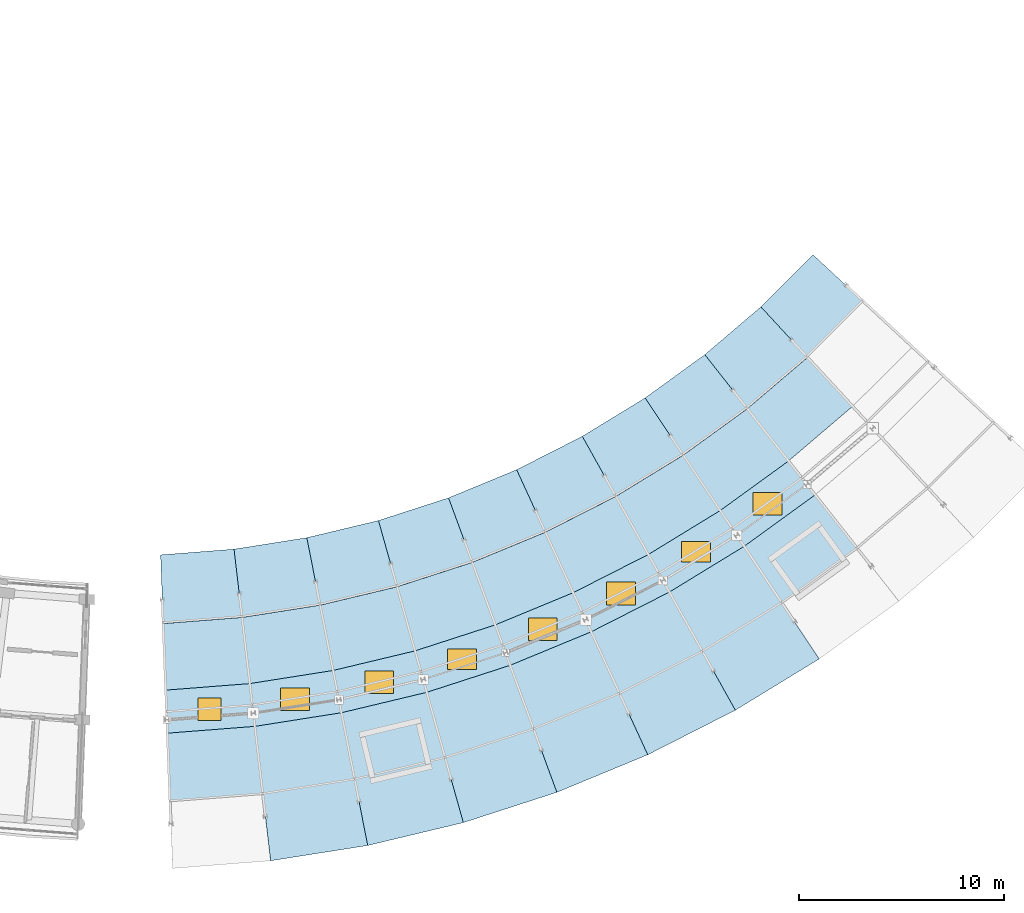
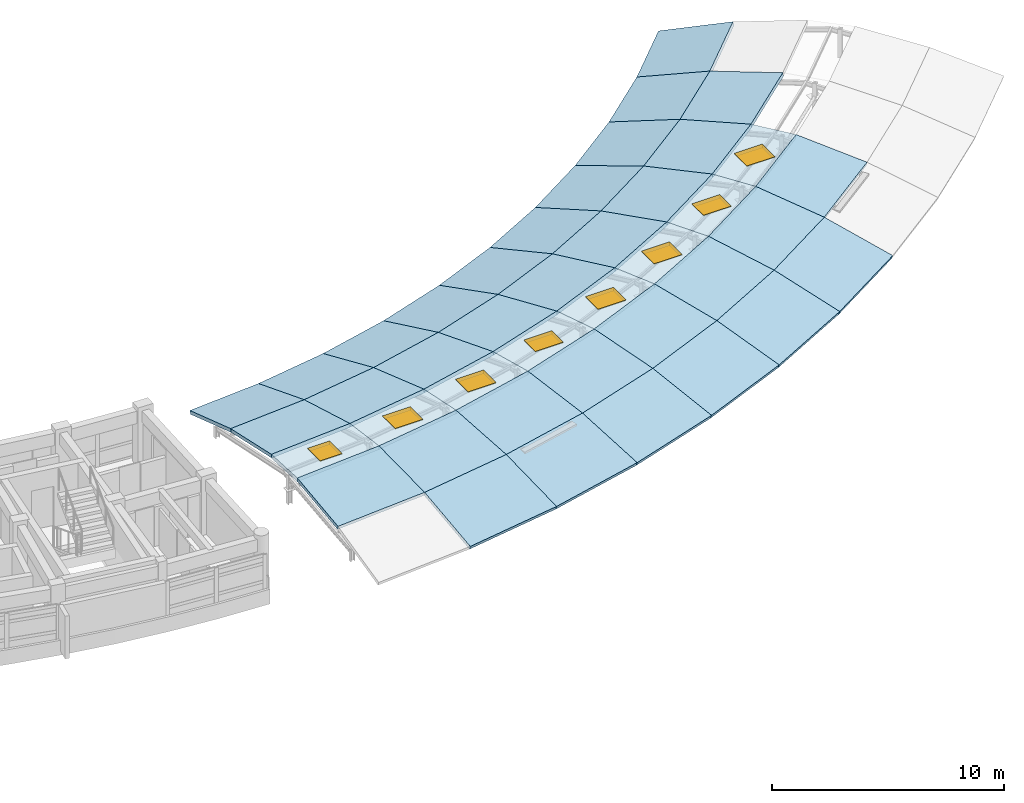
# One storey, part 28 of 50: 41 slabs, 8 windows, 8 openings.
"""IFC4 building model written with IfcOpenShell, lengths in metres."""

from ifc_helpers import new_model, si_unit, direction, frame, origin, origin_2d, place, context, subcontext, project, spatial, polyline, rectangle, outline, extrude, material, layer, layer_set, type_object, element, fill, save


model = new_model("IFC4")

# Units and contexts
model_context = context("Model", 3, precision=1e-05, world=origin(), true_north=direction((0.0, 1.0)))
body_context = subcontext(model_context, "Body", "Model", "MODEL_VIEW")
ifc_project = project(units=[si_unit("LENGTHUNIT", "METRE"), si_unit("AREAUNIT", "SQUARE_METRE"), si_unit("VOLUMEUNIT", "CUBIC_METRE"), si_unit("PLANEANGLEUNIT", "RADIAN"), si_unit("MASSUNIT", "GRAM", prefix="KILO")], contexts=[model_context])

# Site, building, storey
site_placement = place(None, origin())
site = spatial("IfcSite", under=ifc_project, at=site_placement, CompositionType="ELEMENT")
building_placement = place(site_placement, origin())
building = spatial("IfcBuilding", under=site, at=building_placement, Name="Zimvara Arc Housing Community", CompositionType="ELEMENT")
storey_placement = place(building_placement, frame((0.0, 0.0, 26.699951171875)))
storey = spatial("IfcBuildingStorey", under=building, at=storey_placement, Name="L08", CompositionType="ELEMENT", Elevation=26.699951171875)

# Slabs
ifc_material_1 = material(Name="Concrete C40/50", Category="concrete")
ifc_layer_1 = layer(ifc_material_1, 0.179931640625)
ifc_layer_set_1 = layer_set([ifc_layer_1], Name="Concrete C40/50")
slab_type_1 = type_object("IfcSlabType", Name="SLB-BRL-ROOF-180", PredefinedType="ROOF", material=ifc_layer_set_1)
slab_1_placement = place(storey_placement, frame((127.736328125, 64.143798828125, 0.1201171875), z_axis=(-0.022512545556, 0.289340944911, 0.956961338242), x_axis=(0.996988403561, 0.077550777718, 6.407312e-06)))
element("IfcSlab", 1, at=slab_1_placement, inside=storey, type_object=slab_type_1, Name="roof:blkD:in1:b0:t0", PredefinedType="ROOF", context=body_context, shape_type="SweptSolid", body=[
    extrude(outline(polyline([(0.0, 0.0), (3.592116291310163, 5.551115123125783e-17), (3.721812413546961, -3.4456339751327287), (-0.12939822481342012, -3.4457983072668537), (0.0, 0.0)])), origin(), (0.0, 0.0, -1.0), 0.179931640625),
])
slab_2_placement = place(storey_placement, frame((127.863037109375, 60.84619140625, 1.1201171875), z_axis=(-0.013884804639, 0.17843345977, 0.983854009818), x_axis=(0.996985127324, 0.077592885564, -2.259791e-06)))
element("IfcSlab", 2, at=slab_2_placement, inside=storey, type_object=slab_type_1, Name="roof:blkD:in2:b0:t0", PredefinedType="ROOF", context=body_context, shape_type="SweptSolid", body=[
    extrude(outline(polyline([(0.0, 0.0), (3.8512106419313676, 0.0), (3.9807407944678213, -3.3516952546601786), (-0.12978866251532722, -3.3515947262044823), (0.0, 0.0)])), origin(), (0.0, 0.0, -1.0), 0.179931640625),
])
slab_3_placement = place(storey_placement, frame((132.7177734375, 52.50439453125, 1.1201171875), z_axis=(0.013882583, -0.178440045937, 0.983852846667), x_axis=(-0.996986043083, -0.077581118128, -2.883348e-06)))
element("IfcSlab", 3, at=slab_3_placement, inside=storey, type_object=slab_type_1, Name="roof:blkD:out1:b0:t0", PredefinedType="ROOF", context=body_context, shape_type="SweptSolid", body=[
    extrude(outline(polyline([(0.0, 0.0), (4.534663558844691, -5.551115123125783e-17), (4.404913442482641, -3.3515962186464057), (0.12958764057867359, -3.3514542901151114), (0.0, 0.0)])), origin(), (0.0, 0.0, -1.0), 0.179931640625),
])
slab_4_placement = place(storey_placement, frame((131.317626953125, 64.42236328125, 0.1201171875), z_axis=(-0.04514782357, 0.286688203725, 0.956959533038), x_axis=(0.987825721447, 0.15556459767, -3.69587e-07)))
element("IfcSlab", 4, at=slab_4_placement, inside=storey, type_object=slab_type_1, Name="roof:blkD:in1:b1:t0", PredefinedType="ROOF", context=body_context, shape_type="SweptSolid", body=[
    extrude(outline(polyline([(0.0, 0.0), (3.5923179260971634, -1.1102230246251565e-16), (3.7218125560917676, -3.445650211547995), (-0.12951648199066468, -3.4456407323140237), (0.0, 0.0)])), origin(), (0.0, 0.0, -1.0), 0.179931640625),
])
slab_5_placement = place(storey_placement, frame((131.70263671875, 61.14501953125, 1.1201171875), z_axis=(-0.027846094042, 0.176795805982, 0.983853565341), x_axis=(0.987825982724, 0.155562938506, 4.289376e-06)))
element("IfcSlab", 5, at=slab_5_placement, inside=storey, type_object=slab_type_1, Name="roof:blkD:in2:b1:t0", PredefinedType="ROOF", context=body_context, shape_type="SweptSolid", body=[
    extrude(outline(polyline([(0.0, 0.0), (3.8513290380577456, -2.220446049250313e-16), (3.9810733173504556, -3.351503824471392), (-0.1295459803922635, -3.35169464290651), (0.0, 0.0)])), origin(), (0.0, 0.0, -1.0), 0.179931640625),
])
slab_6_placement = place(storey_placement, frame((137.837890625, 49.97265625, 0.1201171875), z_axis=(0.045149039845, -0.286678173258, 0.956962480549), x_axis=(-0.987828192913, -0.155548903024, 7.33474e-06)))
element("IfcSlab", 6, at=slab_6_placement, inside=storey, type_object=slab_type_1, Name="roof:blkD:out2:b1:t0", PredefinedType="ROOF", context=body_context, shape_type="SweptSolid", body=[
    extrude(outline(polyline([(0.0, 0.0), (4.793450720553597, 0.0), (4.663994331180963, -3.4456429903853163), (0.12951674692351064, -3.4458787422124177), (0.0, 0.0)])), origin(), (0.0, 0.0, -1.0), 0.179931640625),
])
slab_7_placement = place(storey_placement, frame((137.197021484375, 53.2099609375, 1.1201171875), z_axis=(0.027850152772, -0.176802590508, 0.983852231273), x_axis=(-0.98782007586, -0.155600442567, 3.84909e-07)))
element("IfcSlab", 7, at=slab_7_placement, inside=storey, type_object=slab_type_1, Name="roof:blkD:out1:b1:t0", PredefinedType="ROOF", context=body_context, shape_type="SweptSolid", body=[
    extrude(outline(polyline([(0.0, 0.0), (4.5344775905344274, 1.1102230246251565e-16), (4.4048420593645865, -3.351452438056301), (0.12937558028651522, -3.351471384178919), (0.0, 0.0)])), origin(), (0.0, 0.0, -1.0), 0.179931640625),
])
slab_8_placement = place(storey_placement, frame((134.8662109375, 64.981201171875, 0.1201171875), z_axis=(-0.067504990488, 0.28225119613, 0.95696255859), x_axis=(0.972563533426, 0.232637428965, -9.718788e-06)))
element("IfcSlab", 8, at=slab_8_placement, inside=storey, type_object=slab_type_1, Name="roof:blkD:in1:b2:t0", PredefinedType="ROOF", context=body_context, shape_type="SweptSolid", body=[
    extrude(outline(polyline([(0.0, 0.0), (3.5922124225277106, 1.1102230246251565e-16), (3.7216769571933486, -3.445888557261425), (-0.1297852059482451, -3.4456392786428087), (0.0, 0.0)])), origin(), (0.0, 0.0, -1.0), 0.179931640625),
])
slab_9_placement = place(storey_placement, frame((135.507080078125, 61.744140625, 1.1201171875), z_axis=(-0.041627514255, 0.174072708916, 0.983852550979), x_axis=(0.972578531973, 0.232574717335, 1.133942e-06)))
element("IfcSlab", 9, at=slab_9_placement, inside=storey, type_object=slab_type_1, Name="roof:blkD:in2:b2:t0", PredefinedType="ROOF", context=body_context, shape_type="SweptSolid", body=[
    extrude(outline(polyline([(0.0, 0.0), (3.8514621713788633, 0.0), (3.9812065156382084, -3.351469595650952), (-0.1293247475810229, -3.3515200392330775), (0.0, 0.0)])), origin(), (0.0, 0.0, -1.0), 0.179931640625),
])
slab_10_placement = place(storey_placement, frame((142.500244140625, 51.087646484375, 0.1201171875), z_axis=(0.067498015938, -0.282243025797, 0.956965460314), x_axis=(-0.972575115458, -0.232589004021, 2.78361e-07)))
element("IfcSlab", 10, at=slab_10_placement, inside=storey, type_object=slab_type_1, Name="roof:blkD:out2:b2:t0", PredefinedType="ROOF", context=body_context, shape_type="SweptSolid", body=[
    extrude(outline(polyline([(0.0, 0.0), (4.793823476872137, 4.440892098500626e-16), (4.664155660690051, -3.445873061004935), (0.12963872147940314, -3.4458820087204955), (0.0, 0.0)])), origin(), (0.0, 0.0, -1.0), 0.179931640625),
])
slab_11_placement = place(storey_placement, frame((141.607177734375, 54.2646484375, 1.1201171875), z_axis=(0.041629872768, -0.174073678635, 0.983852279613), x_axis=(-0.972574647135, -0.232590962313, 1.97581e-07)))
element("IfcSlab", 11, at=slab_11_placement, inside=storey, type_object=slab_type_1, Name="roof:blkD:out1:b2:t0", PredefinedType="ROOF", context=body_context, shape_type="SweptSolid", body=[
    extrude(outline(polyline([(0.0, 0.0), (4.5345169392196, -2.220446049250313e-16), (4.404899108378928, -3.3514620239046575), (0.12968870680142672, -3.351471749065937), (0.0, 0.0)])), origin(), (0.0, 0.0, -1.0), 0.179931640625),
])
slab_12_placement = place(storey_placement, frame((138.35986328125, 65.81689453125, 0.1201171875), z_axis=(-0.089432950556, 0.276084734337, 0.956963409343), x_axis=(0.951339563855, 0.308144502122, 7.430974e-06)))
element("IfcSlab", 12, at=slab_12_placement, inside=storey, type_object=slab_type_1, Name="roof:blkD:in1:b3:t0", PredefinedType="ROOF", context=body_context, shape_type="SweptSolid", body=[
    extrude(outline(polyline([(0.0, 0.0), (3.5922798797535114, 0.0), (3.722179907078615, -3.445701922747733), (-0.12935884869786196, -3.445892526417185), (0.0, 0.0)])), origin(), (0.0, 0.0, -1.0), 0.179931640625),
])
slab_13_placement = place(storey_placement, frame((139.2529296875, 62.639892578125, 1.1201171875), z_axis=(-0.055161475988, 0.170270101733, 0.983852277541), x_axis=(0.951324286325, 0.308191664792, 6.35928e-07)))
element("IfcSlab", 13, at=slab_13_placement, inside=storey, type_object=slab_type_1, Name="roof:blkD:in2:b3:t0", PredefinedType="ROOF", context=body_context, shape_type="SweptSolid", body=[
    extrude(outline(polyline([(0.0, 0.0), (3.8515387605929505, -2.220446049250313e-16), (3.9810360112937277, -3.3514525285625085), (-0.12945413584443907, -3.3514808178126754), (0.0, 0.0)])), origin(), (0.0, 0.0, -1.0), 0.179931640625),
])
slab_14_placement = place(storey_placement, frame((147.060546875, 52.56494140625, 0.1201171875), z_axis=(0.089434768517, -0.276074307097, 0.95696624765), x_axis=(-0.951328071988, -0.308179978984, 1.287133e-06)))
element("IfcSlab", 14, at=slab_14_placement, inside=storey, type_object=slab_type_1, Name="roof:blkD:out2:b3:t0", PredefinedType="ROOF", context=body_context, shape_type="SweptSolid", body=[
    extrude(outline(polyline([(0.0, 0.0), (4.7936167259496445, 2.220446049250313e-16), (4.664128760352301, -3.445887677051625), (0.129695678405417, -3.4459290501559345), (0.0, 0.0)])), origin(), (0.0, 0.0, -1.0), 0.179931640625),
])
slab_15_placement = place(storey_placement, frame((145.9208984375, 55.662109375, 1.1201171875), z_axis=(0.055159775364, -0.17027065268, 0.983852277539), x_axis=(-0.951325286992, -0.308188575923, -5.90376e-07)))
element("IfcSlab", 15, at=slab_15_placement, inside=storey, type_object=slab_type_1, Name="roof:blkD:out1:b3:t0", PredefinedType="ROOF", context=body_context, shape_type="SweptSolid", body=[
    extrude(outline(polyline([(0.0, 0.0), (4.5344330821394, 0.0), (4.404988916943715, -3.3514812029234373), (0.12950722125491132, -3.351452143293816), (0.0, 0.0)])), origin(), (0.0, 0.0, -1.0), 0.179931640625),
])
slab_16_placement = place(storey_placement, frame((141.77734375, 66.923828125, 0.1201171875), z_axis=(-0.110827396952, 0.268220767096, 0.956961288759), x_axis=(0.924212867682, 0.381877696665, 6.03596e-07)))
element("IfcSlab", 16, at=slab_16_placement, inside=storey, type_object=slab_type_1, Name="roof:blkD:in1:b4:t0", PredefinedType="ROOF", context=body_context, shape_type="SweptSolid", body=[
    extrude(outline(polyline([(0.0, 0.0), (3.5923197180594997, 0.0), (3.7218359861139585, -3.4457064656308782), (-0.12936778406417954, -3.4457219468125664), (0.0, 0.0)])), origin(), (0.0, 0.0, -1.0), 0.179931640625),
])
slab_17_placement = place(storey_placement, frame((142.9169921875, 63.826904296875, 1.1201171875), z_axis=(-0.068348015127, 0.165417235036, 0.983852472265), x_axis=(0.924211453525, 0.381881119159, -1.728347e-06)))
element("IfcSlab", 17, at=slab_17_placement, inside=storey, type_object=slab_type_1, Name="roof:blkD:in2:b4:t0", PredefinedType="ROOF", context=body_context, shape_type="SweptSolid", body=[
    extrude(outline(polyline([(0.0, 0.0), (3.8512037702039787, 0.0), (3.9807061871190363, -3.351525156575941), (-0.1296072728230931, -3.3514482755875674), (0.0, 0.0)])), origin(), (0.0, 0.0, -1.0), 0.179931640625),
])
slab_18_placement = place(storey_placement, frame((151.49072265625, 54.3955078125, 0.1201171875), z_axis=(0.110819182397, -0.268214322742, 0.956964046288), x_axis=(-0.924209891887, -0.381884898481, -7.121301e-06)))
element("IfcSlab", 18, at=slab_18_placement, inside=storey, type_object=slab_type_1, Name="roof:blkD:out2:b4:t0", PredefinedType="ROOF", context=body_context, shape_type="SweptSolid", body=[
    extrude(outline(polyline([(0.0, 0.0), (4.793477946042171, -2.220446049250313e-16), (4.663983508627371, -3.445936618272803), (0.1294828484329464, -3.4457077214522425), (0.0, 0.0)])), origin(), (0.0, 0.0, -1.0), 0.179931640625),
])
slab_19_placement = place(storey_placement, frame((150.11181640625, 57.3935546875, 1.1201171875), z_axis=(0.068345107379, -0.165412022946, 0.983853550566), x_axis=(-0.924228805153, -0.381839122787, 5.829313e-06)))
element("IfcSlab", 19, at=slab_19_placement, inside=storey, type_object=slab_type_1, Name="roof:blkD:out1:b4:t0", PredefinedType="ROOF", context=body_context, shape_type="SweptSolid", body=[
    extrude(outline(polyline([(0.0, 0.0), (4.534500666032371, 0.0), (4.405047756783163, -3.3514542414776276), (0.1295635613224294, -3.351741186865411), (0.0, 0.0)])), origin(), (0.0, 0.0, -1.0), 0.179931640625),
])
slab_20_placement = place(storey_placement, frame((145.097412109375, 68.295654296875, 0.1201171875), z_axis=(-0.131537336584, 0.258696123719, 0.956960942075), x_axis=(0.891389325287, 0.453238425958, -4.8287e-08)))
element("IfcSlab", 20, at=slab_20_placement, inside=storey, type_object=slab_type_1, Name="roof:blkD:in1:b5:t0", PredefinedType="ROOF", context=body_context, shape_type="SweptSolid", body=[
    extrude(outline(polyline([(0.0, 0.0), (3.5923118782164334, 0.0), (3.7217212593881523, -3.445701252995546), (-0.12968778303898224, -3.4457000144987564), (0.0, 0.0)])), origin(), (0.0, 0.0, -1.0), 0.179931640625),
])
slab_21_placement = place(storey_placement, frame((146.476318359375, 65.297607421875, 1.1201171875), z_axis=(-0.081116829153, 0.159539093452, 0.983853311062), x_axis=(0.891389674921, 0.453237738322, -2.473865e-06)))
element("IfcSlab", 21, at=slab_21_placement, inside=storey, type_object=slab_type_1, Name="roof:blkD:in2:b5:t0", PredefinedType="ROOF", context=body_context, shape_type="SweptSolid", body=[
    extrude(outline(polyline([(0.0, 0.0), (3.8514090424151624, -2.220446049250313e-16), (3.981037156027622, -3.3516280865820214), (-0.12968667503072137, -3.3515180317909214), (0.0, 0.0)])), origin(), (0.0, 0.0, -1.0), 0.179931640625),
])
slab_22_placement = place(storey_placement, frame((155.763916015625, 56.568115234375, 0.1201171875), z_axis=(0.131530897519, -0.258694395022, 0.956962294441), x_axis=(-0.891401790233, -0.453213910156, 3.113201e-06)))
element("IfcSlab", 22, at=slab_22_placement, inside=storey, type_object=slab_type_1, Name="roof:blkD:out2:b5:t0", PredefinedType="ROOF", context=body_context, shape_type="SweptSolid", body=[
    extrude(outline(polyline([(0.0, 0.0), (4.793788115462522, -2.220446049250313e-16), (4.664194181428098, -3.4457035454322824), (0.1297208575027153, -3.445803612711532), (0.0, 0.0)])), origin(), (0.0, 0.0, -1.0), 0.179931640625),
])
slab_23_placement = place(storey_placement, frame((154.15380859375, 59.44873046875, 1.1201171875), z_axis=(0.0811130459, -0.1595378644, 0.983853822276), x_axis=(-0.891392125324, -0.453232919029, -4.351868e-06)))
element("IfcSlab", 23, at=slab_23_placement, inside=storey, type_object=slab_type_1, Name="roof:blkD:out1:b5:t0", PredefinedType="ROOF", context=body_context, shape_type="SweptSolid", body=[
    extrude(outline(polyline([(0.0, 0.0), (4.53447332501199, -2.220446049250313e-16), (4.40469269822813, -3.351732789078453), (0.12942718999553848, -3.3515185744861378), (0.0, 0.0)])), origin(), (0.0, 0.0, -1.0), 0.179931640625),
])
slab_24_placement = place(storey_placement, frame((148.299560546875, 69.923828125, 0.1201171875), z_axis=(-0.151423420195, 0.247581289872, 0.956961050786), x_axis=(0.853090405929, 0.521763125671, -9.62066e-07)))
element("IfcSlab", 24, at=slab_24_placement, inside=storey, type_object=slab_type_1, Name="roof:blkD:in1:b6:t0", PredefinedType="ROOF", context=body_context, shape_type="SweptSolid", body=[
    extrude(outline(polyline([(0.0, 0.0), (3.592179270264748, -2.220446049250313e-16), (3.721805187178165, -3.445717227549484), (-0.1296408505167436, -3.4456925519689947), (0.0, 0.0)])), origin(), (0.0, 0.0, -1.0), 0.179931640625),
])
slab_25_placement = place(storey_placement, frame((149.909423828125, 67.043212890625, 1.1201171875), z_axis=(-0.093377251238, 0.152679900482, 0.983854428734), x_axis=(0.853093967149, 0.521757302976, -2.320865e-06)))
element("IfcSlab", 25, at=slab_25_placement, inside=storey, type_object=slab_type_1, Name="roof:blkD:in2:b6:t0", PredefinedType="ROOF", context=body_context, shape_type="SweptSolid", body=[
    extrude(outline(polyline([(0.0, 0.0), (3.8514460377649318, -2.220446049250313e-16), (3.9809666486016515, -3.351739743795637), (-0.1294104997139321, -3.3516364959791227), (0.0, 0.0)])), origin(), (0.0, 0.0, -1.0), 0.179931640625),
])
slab_26_placement = place(storey_placement, frame((159.853271484375, 59.069091796875, 0.1201171875), z_axis=(0.151413831511, -0.247571298625, 0.956965152827), x_axis=(-0.853102535452, -0.521743293198, 2.987484e-06)))
element("IfcSlab", 26, at=slab_26_placement, inside=storey, type_object=slab_type_1, Name="roof:blkD:out2:b6:t0", PredefinedType="ROOF", context=body_context, shape_type="SweptSolid", body=[
    extrude(outline(polyline([(0.0, 0.0), (4.793507266683332, 4.440892098500626e-16), (4.664155299300605, -3.445817480192555), (0.12957914485414043, -3.4459135078583385), (0.0, 0.0)])), origin(), (0.0, 0.0, -1.0), 0.179931640625),
])
slab_27_placement = place(storey_placement, frame((158.022216796875, 61.814697265625, 1.1201171875), z_axis=(0.09338496917, -0.152685515771, 0.983852824769), x_axis=(-0.85309141446, -0.521761476706, 5.03387e-07)))
element("IfcSlab", 27, at=slab_27_placement, inside=storey, type_object=slab_type_1, Name="roof:blkD:out1:b6:t0", PredefinedType="ROOF", context=body_context, shape_type="SweptSolid", body=[
    extrude(outline(polyline([(0.0, 0.0), (4.534576155487342, 0.0), (4.40494294262585, -3.3515106121204292), (0.12963355461796675, -3.3515353902800116), (0.0, 0.0)])), origin(), (0.0, 0.0, -1.0), 0.179931640625),
])
slab_28_placement = place(storey_placement, frame((151.364013671875, 71.798095703125, 0.1201171875), z_axis=(-0.170370740914, 0.234943907368, 0.956961426094), x_axis=(0.809552181418, 0.587047924416, 7.01995e-07)))
element("IfcSlab", 28, at=slab_28_placement, inside=storey, type_object=slab_type_1, Name="roof:blkD:in1:b7:t0", PredefinedType="ROOF", context=body_context, shape_type="SweptSolid", body=[
    extrude(outline(polyline([(0.0, 0.0), (3.592359754920568, 0.0), (3.7221025544060953, -3.4457105797421606), (-0.1293236508926683, -3.445728585349233), (0.0, 0.0)])), origin(), (0.0, 0.0, -1.0), 0.179931640625),
])
slab_29_placement = place(storey_placement, frame((153.195068359375, 69.052734375, 1.1201171875), z_axis=(-0.105070546054, 0.144884962204, 0.983853916026), x_axis=(0.809548930242, 0.587052407814, 4.75908e-06)))
element("IfcSlab", 29, at=slab_29_placement, inside=storey, type_object=slab_type_1, Name="roof:blkD:in2:b7:t0", PredefinedType="ROOF", context=body_context, shape_type="SweptSolid", body=[
    extrude(outline(polyline([(0.0, 0.0), (3.8514262052966943, 0.0), (3.981152896007656, -3.3515294745757678), (-0.12948308310603887, -3.351741193722388), (0.0, 0.0)])), origin(), (0.0, 0.0, -1.0), 0.179931640625),
])
slab_30_placement = place(storey_placement, frame((161.693115234375, 64.476806640625, 1.1201171875), z_axis=(0.105072742959, -0.144889782396, 0.983852971558), x_axis=(-0.809536263956, -0.587069874325, -2.34348e-07)))
element("IfcSlab", 30, at=slab_30_placement, inside=storey, type_object=slab_type_1, Name="roof:blkD:out1:b7:t0", PredefinedType="ROOF", context=body_context, shape_type="SweptSolid", body=[
    extrude(outline(polyline([(0.0, 0.0), (4.534569622676629, -8.881784197001252e-16), (4.405155723040514, -3.351543879075354), (0.1296525511555724, -3.3515323435046396), (0.0, 0.0)])), origin(), (0.0, 0.0, -1.0), 0.179931640625),
])
slab_31_placement = place(storey_placement, frame((154.272216796875, 73.906982421875, 0.1201171875), z_axis=(-0.188294277801, 0.220849074327, 0.956959221345), x_axis=(0.76097963347, 0.648775768195, 6.878719e-06)))
element("IfcSlab", 31, at=slab_31_placement, inside=storey, type_object=slab_type_1, Name="roof:blkD:in1:b8:t0", PredefinedType="ROOF", context=body_context, shape_type="SweptSolid", body=[
    extrude(outline(polyline([(0.0, 0.0), (3.592261337683018, -4.440892098500626e-16), (3.7218701731656685, -3.4455450568633488), (-0.12945294881822839, -3.445721481308067), (0.0, 0.0)])), origin(), (0.0, 0.0, -1.0), 0.179931640625),
])
slab_32_placement = place(storey_placement, frame((156.31298828125, 71.313720703125, 1.1201171875), z_axis=(-0.116117460617, 0.136192972052, 0.983853754226), x_axis=(0.760950379358, 0.648810080178, -3.80891e-06)))
element("IfcSlab", 32, at=slab_32_placement, inside=storey, type_object=slab_type_1, Name="roof:blkD:in2:b8:t0", PredefinedType="ROOF", context=body_context, shape_type="SweptSolid", body=[
    extrude(outline(polyline([(0.0, 0.0), (3.851323126082491, 0.0), (3.9808015031791517, -3.351703399326613), (-0.12961079323625835, -3.35153395859782), (0.0, 0.0)])), origin(), (0.0, 0.0, -1.0), 0.179931640625),
])
slab_33_placement = place(storey_placement, frame((157.005859375, 76.237548828125, 0.1201171875), z_axis=(-0.205038835578, 0.205391021498, 0.95696060744), x_axis=(0.70768666678, 0.706526419556, -1.1424627e-05)))
element("IfcSlab", 33, at=slab_33_placement, inside=storey, type_object=slab_type_1, Name="roof:blkD:in1:b9:t0", PredefinedType="ROOF", context=body_context, shape_type="SweptSolid", body=[
    extrude(outline(polyline([(0.0, 0.0), (3.5923315231663198, 0.0), (3.721738488169066, -3.445834044533288), (-0.12971624341189308, -3.4455410147222447), (0.0, 0.0)])), origin(), (0.0, 0.0, -1.0), 0.179931640625),
])

# Slab, opening, window
ifc_material_2 = material(Name="Concrete C40/50", Category="concrete")
ifc_layer_2 = layer(ifc_material_2, 0.205078125)
ifc_layer_set_2 = layer_set([ifc_layer_2], Name="Concrete C40/50")
slab_type_2 = type_object("IfcSlabType", Name="SLB-CURB-ROOF-205", PredefinedType="ROOF", material=ifc_layer_set_2)
slab_34_placement = place(storey_placement, frame((0.0, 0.0, 1.51513671875)))
slab_34 = element("IfcSlab", 34, at=slab_34_placement, inside=storey, type_object=slab_type_2, Name="roof:blkD:curb:b0", PredefinedType="ROOF", context=body_context, shape_type="SweptSolid", body=[
    extrude(outline(polyline([(128.0703125, 55.4501953125), (132.332763671875, 55.78173828125), (132.087646484375, 57.867431640625), (127.989501953125, 57.548583984375), (128.0703125, 55.4501953125)])), origin(), (0.0, 0.0, 1.0), 0.204833984375),
])
opening_1_placement = place(slab_34_placement, frame((130.123291015625, 56.62109375, 0.0)))
opening_1 = element("IfcOpeningElement", 35, at=opening_1_placement, cuts=slab_34, Name="Opening SK4", PredefinedType="OPENING", context=body_context, shape_type="SweptSolid", body=[
    extrude(rectangle(XDim=1.10009765625, YDim=1.10009765625, at=origin_2d()), origin(), (0.0, 0.0, 1.0), 0.204833984375),
])
ifc_material_3 = material(Name="Solar Control Low-E Double Glazing", Category="glass")
window_type_1 = type_object("IfcWindowType", Name="SKY-HTCH-1100x1100", PartitioningType="SINGLE_PANEL", PredefinedType="SKYLIGHT", material=ifc_material_3)
window_1_placement = place(opening_1_placement, frame((0.0, 0.0, 0.15478515625)))
window_1 = element("IfcWindow", 36, at=window_1_placement, inside=storey, type_object=window_type_1, Name="ROOF ACCESS HATCH", OverallHeight=1.10009765625, OverallWidth=1.10009765625, PartitioningType="SINGLE_PANEL", PredefinedType="SKYLIGHT", context=body_context, shape_type="SweptSolid", body=[
    extrude(rectangle(XDim=1.10009765625, YDim=1.10009765625, at=origin_2d()), origin(), (0.0, 0.0, 1.0), 0.050048828125),
])
fill(opening_1, window_1)

slab_35_placement = place(storey_placement, frame((0.0, 0.0, 1.51513671875)))
slab_35 = element("IfcSlab", 37, at=slab_35_placement, inside=storey, type_object=slab_type_2, Name="roof:blkD:curb:b1", PredefinedType="ROOF", context=body_context, shape_type="SweptSolid", body=[
    extrude(outline(polyline([(132.332763671875, 55.78173828125), (136.55615234375, 56.447021484375), (136.148193359375, 58.507080078125), (132.087646484375, 57.867431640625), (132.332763671875, 55.78173828125)])), origin(), (0.0, 0.0, 1.0), 0.204833984375),
])
opening_2_placement = place(slab_35_placement, frame((134.28759765625, 57.110107421875, 0.0)))
opening_2 = element("IfcOpeningElement", 38, at=opening_2_placement, cuts=slab_35, Name="Opening SK1", PredefinedType="OPENING", context=body_context, shape_type="SweptSolid", body=[
    extrude(rectangle(XDim=1.39990234375, YDim=1.10009765625, at=origin_2d()), origin(), (0.0, 0.0, 1.0), 0.204833984375),
])
ifc_material_4 = material(Name="Solar Control Low-E Double Glazing", Category="glass")
window_type_2 = type_object("IfcWindowType", Name="SKY-BRL-2200x1200", PartitioningType="SINGLE_PANEL", PredefinedType="SKYLIGHT", material=ifc_material_4)
window_2_placement = place(opening_2_placement, frame((0.0, 0.0, 0.15478515625)))
window_2 = element("IfcWindow", 39, at=window_2_placement, inside=storey, type_object=window_type_2, Name="sky:blkD:b1", OverallHeight=1.10009765625, OverallWidth=1.39990234375, PartitioningType="SINGLE_PANEL", PredefinedType="SKYLIGHT", context=body_context, shape_type="SweptSolid", body=[
    extrude(rectangle(XDim=1.39990234375, YDim=1.10009765625, at=origin_2d()), origin(), (0.0, 0.0, 1.0), 0.050048828125),
])
fill(opening_2, window_2)

slab_36_placement = place(storey_placement, frame((0.0, 0.0, 1.51513671875)))
slab_36 = element("IfcSlab", 40, at=slab_36_placement, inside=storey, type_object=slab_type_2, Name="roof:blkD:curb:b2", PredefinedType="ROOF", context=body_context, shape_type="SweptSolid", body=[
    extrude(outline(polyline([(136.55615234375, 56.447021484375), (140.714111328125, 57.44140625), (140.14599609375, 59.463134765625), (136.148193359375, 58.507080078125), (136.55615234375, 56.447021484375)])), origin(), (0.0, 0.0, 1.0), 0.204833984375),
])
opening_3_placement = place(slab_36_placement, frame((138.400634765625, 57.924560546875, 0.0)))
opening_3 = element("IfcOpeningElement", 41, at=opening_3_placement, cuts=slab_36, Name="Opening SK2", PredefinedType="OPENING", context=body_context, shape_type="SweptSolid", body=[
    extrude(rectangle(XDim=1.39990234375, YDim=1.10009765625, at=origin_2d()), origin(), (0.0, 0.0, 1.0), 0.204833984375),
])
ifc_material_5 = material(Name="Solar Control Low-E Double Glazing", Category="glass")
window_type_3 = type_object("IfcWindowType", Name="SKY-BRL-2000x1100", PartitioningType="SINGLE_PANEL", PredefinedType="SKYLIGHT", material=ifc_material_5)
window_3_placement = place(opening_3_placement, frame((0.0, 0.0, 0.15478515625)))
window_3 = element("IfcWindow", 42, at=window_3_placement, inside=storey, type_object=window_type_3, Name="sky:blkD:b2", OverallHeight=1.10009765625, OverallWidth=1.39990234375, PartitioningType="SINGLE_PANEL", PredefinedType="SKYLIGHT", context=body_context, shape_type="SweptSolid", body=[
    extrude(rectangle(XDim=1.39990234375, YDim=1.10009765625, at=origin_2d()), origin(), (0.0, 0.0, 1.0), 0.050048828125),
])
fill(opening_3, window_3)

slab_37_placement = place(storey_placement, frame((0.0, 0.0, 1.51513671875)))
slab_37 = element("IfcSlab", 43, at=slab_37_placement, inside=storey, type_object=slab_type_2, Name="roof:blkD:curb:b3", PredefinedType="ROOF", context=body_context, shape_type="SweptSolid", body=[
    extrude(outline(polyline([(140.714111328125, 57.44140625), (144.781494140625, 58.759033203125), (144.056396484375, 60.72998046875), (140.14599609375, 59.463134765625), (140.714111328125, 57.44140625)])), origin(), (0.0, 0.0, 1.0), 0.204833984375),
])
opening_4_placement = place(slab_37_placement, frame((142.437255859375, 59.05908203125, 0.0)))
opening_4 = element("IfcOpeningElement", 44, at=opening_4_placement, cuts=slab_37, Name="Opening SK3", PredefinedType="OPENING", context=body_context, shape_type="SweptSolid", body=[
    extrude(rectangle(XDim=1.39990234375, YDim=1.0, at=origin_2d()), origin(), (0.0, 0.0, 1.0), 0.204833984375),
])
ifc_material_6 = material(Name="Solar Control Low-E Double Glazing", Category="glass")
window_type_4 = type_object("IfcWindowType", Name="SKY-BRL-1800x1000", PartitioningType="SINGLE_PANEL", PredefinedType="SKYLIGHT", material=ifc_material_6)
window_4_placement = place(opening_4_placement, frame((0.0, 0.0, 0.15478515625)))
window_4 = element("IfcWindow", 45, at=window_4_placement, inside=storey, type_object=window_type_4, Name="sky:blkD:b3", OverallHeight=1.0, OverallWidth=1.39990234375, PartitioningType="SINGLE_PANEL", PredefinedType="SKYLIGHT", context=body_context, shape_type="SweptSolid", body=[
    extrude(rectangle(XDim=1.39990234375, YDim=1.0, at=origin_2d()), origin(), (0.0, 0.0, 1.0), 0.050048828125),
])
fill(opening_4, window_4)

slab_38_placement = place(storey_placement, frame((0.0, 0.0, 1.51513671875)))
slab_38 = element("IfcSlab", 46, at=slab_38_placement, inside=storey, type_object=slab_type_2, Name="roof:blkD:curb:b4", PredefinedType="ROOF", context=body_context, shape_type="SweptSolid", body=[
    extrude(outline(polyline([(144.781494140625, 58.759033203125), (148.73291015625, 60.391845703125), (147.855224609375, 62.299560546875), (144.056396484375, 60.72998046875), (144.781494140625, 58.759033203125)])), origin(), (0.0, 0.0, 1.0), 0.204833984375),
])
opening_5_placement = place(slab_38_placement, frame((146.372314453125, 60.507080078125, 0.0)))
opening_5 = element("IfcOpeningElement", 47, at=opening_5_placement, cuts=slab_38, Name="Opening SK1", PredefinedType="OPENING", context=body_context, shape_type="SweptSolid", body=[
    extrude(rectangle(XDim=1.39990234375, YDim=1.10009765625, at=origin_2d()), origin(), (0.0, 0.0, 1.0), 0.204833984375),
])
window_5_placement = place(opening_5_placement, frame((0.0, 0.0, 0.15478515625)))
window_5 = element("IfcWindow", 48, at=window_5_placement, inside=storey, type_object=window_type_2, Name="sky:blkD:b4", OverallHeight=1.10009765625, OverallWidth=1.39990234375, PartitioningType="SINGLE_PANEL", PredefinedType="SKYLIGHT", context=body_context, shape_type="SweptSolid", body=[
    extrude(rectangle(XDim=1.39990234375, YDim=1.10009765625, at=origin_2d()), origin(), (0.0, 0.0, 1.0), 0.050048828125),
])
fill(opening_5, window_5)

slab_39_placement = place(storey_placement, frame((0.0, 0.0, 1.51513671875)))
slab_39 = element("IfcSlab", 49, at=slab_39_placement, inside=storey, type_object=slab_type_2, Name="roof:blkD:curb:b5", PredefinedType="ROOF", context=body_context, shape_type="SweptSolid", body=[
    extrude(outline(polyline([(148.73291015625, 60.391845703125), (152.5439453125, 62.329345703125), (151.51953125, 64.16259765625), (147.855224609375, 62.299560546875), (148.73291015625, 60.391845703125)])), origin(), (0.0, 0.0, 1.0), 0.204833984375),
])
opening_6_placement = place(slab_39_placement, frame((150.181640625, 62.259033203125, 0.0)))
opening_6 = element("IfcOpeningElement", 50, at=opening_6_placement, cuts=slab_39, Name="Opening SK2", PredefinedType="OPENING", context=body_context, shape_type="SweptSolid", body=[
    extrude(rectangle(XDim=1.39990234375, YDim=1.10009765625, at=origin_2d()), origin(), (0.0, 0.0, 1.0), 0.204833984375),
])
window_6_placement = place(opening_6_placement, frame((0.0, 0.0, 0.15478515625)))
window_6 = element("IfcWindow", 51, at=window_6_placement, inside=storey, type_object=window_type_3, Name="sky:blkD:b5", OverallHeight=1.10009765625, OverallWidth=1.39990234375, PartitioningType="SINGLE_PANEL", PredefinedType="SKYLIGHT", context=body_context, shape_type="SweptSolid", body=[
    extrude(rectangle(XDim=1.39990234375, YDim=1.10009765625, at=origin_2d()), origin(), (0.0, 0.0, 1.0), 0.050048828125),
])
fill(opening_6, window_6)

slab_40_placement = place(storey_placement, frame((0.0, 0.0, 1.51513671875)))
slab_40 = element("IfcSlab", 52, at=slab_40_placement, inside=storey, type_object=slab_type_2, Name="roof:blkD:curb:b6", PredefinedType="ROOF", context=body_context, shape_type="SweptSolid", body=[
    extrude(outline(polyline([(152.5439453125, 62.329345703125), (156.191162109375, 64.56005859375), (155.026123046875, 66.30712890625), (151.51953125, 64.16259765625), (152.5439453125, 62.329345703125)])), origin(), (0.0, 0.0, 1.0), 0.204833984375),
])
opening_7_placement = place(slab_40_placement, frame((153.841796875, 64.3046875, 0.0)))
opening_7 = element("IfcOpeningElement", 53, at=opening_7_placement, cuts=slab_40, Name="Opening SK3", PredefinedType="OPENING", context=body_context, shape_type="SweptSolid", body=[
    extrude(rectangle(XDim=1.39990234375, YDim=1.0, at=origin_2d()), origin(), (0.0, 0.0, 1.0), 0.204833984375),
])
window_7_placement = place(opening_7_placement, frame((0.0, 0.0, 0.15478515625)))
window_7 = element("IfcWindow", 54, at=window_7_placement, inside=storey, type_object=window_type_4, Name="sky:blkD:b6", OverallHeight=1.0, OverallWidth=1.39990234375, PartitioningType="SINGLE_PANEL", PredefinedType="SKYLIGHT", context=body_context, shape_type="SweptSolid", body=[
    extrude(rectangle(XDim=1.39990234375, YDim=1.0, at=origin_2d()), origin(), (0.0, 0.0, 1.0), 0.050048828125),
])
fill(opening_7, window_7)

slab_41_placement = place(storey_placement, frame((0.0, 0.0, 1.51513671875)))
slab_41 = element("IfcSlab", 55, at=slab_41_placement, inside=storey, type_object=slab_type_2, Name="roof:blkD:curb:b7", PredefinedType="ROOF", context=body_context, shape_type="SweptSolid", body=[
    extrude(outline(polyline([(156.191162109375, 64.56005859375), (159.65234375, 67.070068359375), (158.353759765625, 68.720458984375), (155.026123046875, 66.30712890625), (156.191162109375, 64.56005859375)])), origin(), (0.0, 0.0, 1.0), 0.204833984375),
])
opening_8_placement = place(slab_41_placement, frame((157.330078125, 66.631103515625, 0.0)))
opening_8 = element("IfcOpeningElement", 56, at=opening_8_placement, cuts=slab_41, Name="Opening SK1", PredefinedType="OPENING", context=body_context, shape_type="SweptSolid", body=[
    extrude(rectangle(XDim=1.39990234375, YDim=1.10009765625, at=origin_2d()), origin(), (0.0, 0.0, 1.0), 0.204833984375),
])
window_8_placement = place(opening_8_placement, frame((0.0, 0.0, 0.15478515625)))
window_8 = element("IfcWindow", 57, at=window_8_placement, inside=storey, type_object=window_type_2, Name="sky:blkD:b7", OverallHeight=1.10009765625, OverallWidth=1.39990234375, PartitioningType="SINGLE_PANEL", PredefinedType="SKYLIGHT", context=body_context, shape_type="SweptSolid", body=[
    extrude(rectangle(XDim=1.39990234375, YDim=1.10009765625, at=origin_2d()), origin(), (0.0, 0.0, 1.0), 0.050048828125),
])
fill(opening_8, window_8)

save(model, "model.ifc")
